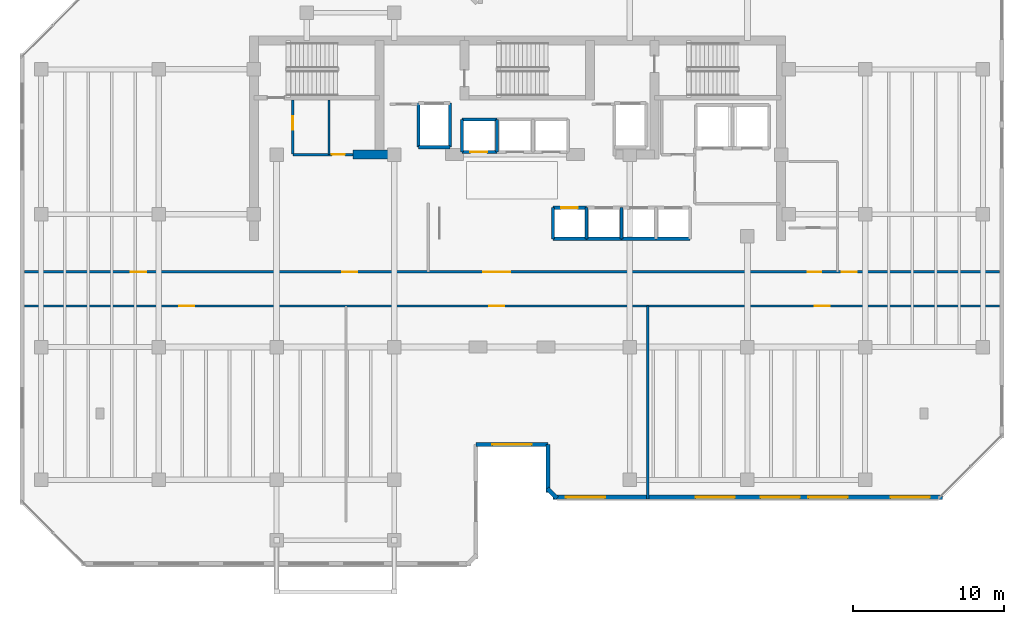
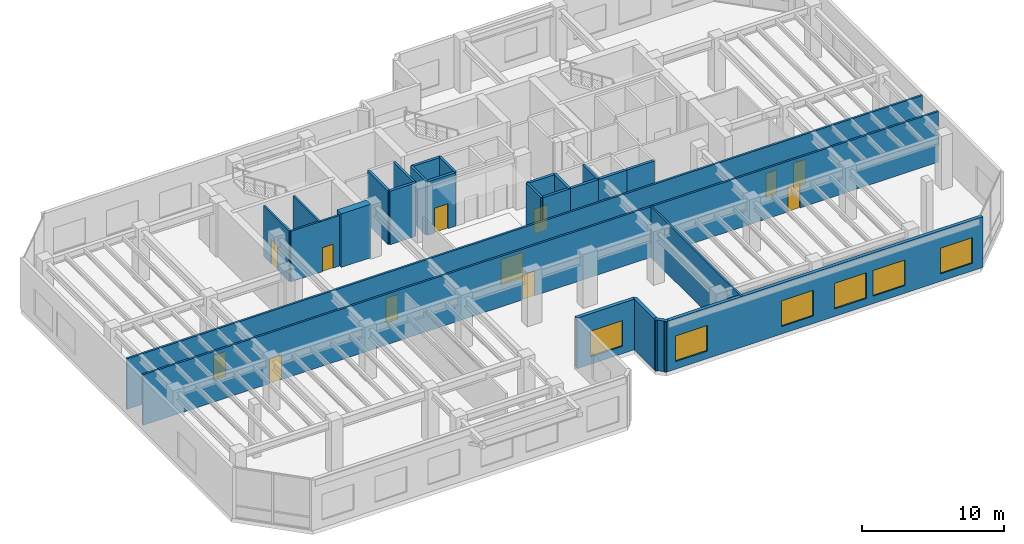
# One storey, part 14 of 20: 26 walls, 12 doors, 6 windows, 18 openings.
"""IFC4 building model written with IfcOpenShell, lengths in metres."""

from ifc_helpers import new_model, si_unit, direction, frame, frame_2d, origin, place, context, subcontext, project, spatial, rectangle, extrude, material, layer, layer_set, type_object, element, fill, save


model = new_model("IFC4")

# Units and contexts
model_context = context("Model", 3, precision=1e-05, world=origin(), true_north=direction((0.0, 1.0)))
body_context = subcontext(model_context, "Body", "Model", "MODEL_VIEW")
ifc_project = project(units=[si_unit("LENGTHUNIT", "METRE"), si_unit("AREAUNIT", "SQUARE_METRE"), si_unit("VOLUMEUNIT", "CUBIC_METRE"), si_unit("PLANEANGLEUNIT", "RADIAN"), si_unit("MASSUNIT", "GRAM", prefix="KILO")], contexts=[model_context])

# Site, building, storey
site_placement = place(None, origin())
site = spatial("IfcSite", under=ifc_project, at=site_placement, CompositionType="ELEMENT")
building_placement = place(site_placement, origin())
building = spatial("IfcBuilding", under=site, at=building_placement, Name="Kestravale Grand Hotel", CompositionType="ELEMENT")
storey_placement = place(building_placement, frame((0.0, 0.0, 231.89990234375)))
storey = spatial("IfcBuildingStorey", under=building, at=storey_placement, Name="L58", CompositionType="ELEMENT", Elevation=231.89990234375)

# Wall
ifc_material_1 = material(Name="Concrete f'c 50 MPa", Category="concrete")
ifc_layer_1 = layer(ifc_material_1, 0.60009765625)
ifc_layer_set_1 = layer_set([ifc_layer_1], Name="EW-CORE-600")
wall_type_1 = type_object("IfcWallType", Name="EW-CORE-600", PredefinedType="SHEAR", material=ifc_layer_set_1)
wall_1_placement = place(storey_placement, frame((28.449951171875, 32.75, 0.0), z_axis=(0.0, 0.0, 1.0), x_axis=(1.0, 0.0, 0.0)))
element("IfcWall", 1, at=wall_1_placement, inside=storey, type_object=wall_type_1, Name="L58 core shear wall S1", PredefinedType="SHEAR", context=body_context, shape_type="SweptSolid", body=[
    extrude(rectangle(XDim=2.400146484375, YDim=0.60009765625, at=frame_2d((1.2001953125, 0.0))), origin(), (0.0, 0.0, 1.0), 4.60009765625),
])

# Wall, opening, window
ifc_material_2 = material(Name="Precast concrete f'c 45 MPa", Category="concrete")
ifc_layer_2 = layer(ifc_material_2, 0.280029296875)
ifc_layer_set_2 = layer_set([ifc_layer_2], Name="EW-PREC-280")
wall_type_2 = type_object("IfcWallType", Name="EW-PREC-280", PredefinedType="SOLIDWALL", material=ifc_layer_set_2)
wall_2_placement = place(storey_placement, frame((36.610107421875, 13.5400390625, 0.0), z_axis=(0.0, 0.0, 1.0), x_axis=(1.0, 0.0, 0.0)))
wall_2 = element("IfcWall", 2, at=wall_2_placement, inside=storey, type_object=wall_type_2, Name="L58 fluted precast facade wall 4", PredefinedType="SOLIDWALL", context=body_context, shape_type="SweptSolid", body=[
    extrude(rectangle(XDim=4.77978515625, YDim=0.280029296875, at=frame_2d((2.389892578125, 0.0))), origin(), (0.0, 0.0, 1.0), 4.35009765625),
])
opening_1_placement = place(wall_2_placement, frame((1.090087890625, 0.0, 0.64990234375)))
opening_1 = element("IfcOpeningElement", 3, at=opening_1_placement, cuts=wall_2, Name="Opening W-SKY-2600", PredefinedType="OPENING", context=body_context, shape_type="SweptSolid", body=[
    extrude(rectangle(XDim=2.60009765625, YDim=2.199951171875, at=frame_2d((1.300048828125, 1.10009765625))), frame((0.0, 0.14990234375, 0.0), z_axis=(0.0, -1.0, 0.0), x_axis=(1.0, 0.0, 0.0)), (0.0, 0.0, 1.0), 0.300048828125),
])
ifc_material_3 = material(Name="Insulated low-E double glazing in aluminium frame", Category="aluminium")
window_type = type_object("IfcWindowType", Name="W-SKY-2600", PartitioningType="TRIPLE_PANEL_VERTICAL", PredefinedType="WINDOW", material=ifc_material_3)
window_1_placement = place(opening_1_placement, origin())
window_1 = element("IfcWindow", 4, at=window_1_placement, inside=storey, type_object=window_type, Name="L58 exterior window 4.1", OverallHeight=2.199951171875, OverallWidth=2.60009765625, PartitioningType="SINGLE_PANEL", PredefinedType="WINDOW", context=body_context, shape_type="SweptSolid", body=[
    extrude(rectangle(XDim=2.60009765625, YDim=2.199951171875, at=frame_2d((1.300048828125, 1.10009765625))), frame((0.0, 0.030029296875, 0.0), z_axis=(0.0, -1.0, 0.0), x_axis=(1.0, 0.0, 0.0)), (0.0, 0.0, 1.0), 0.06005859375),
])
fill(opening_1, window_1)

# Walls
wall_3_placement = place(storey_placement, frame((41.389892578125, 13.5400390625, 0.0), z_axis=(0.0, 0.0, 1.0), x_axis=(0.0, -1.0, 0.0)))
element("IfcWall", 5, at=wall_3_placement, inside=storey, type_object=wall_type_2, Name="L58 fluted precast facade wall 5", PredefinedType="SOLIDWALL", context=body_context, shape_type="SweptSolid", body=[
    extrude(rectangle(XDim=3.179931640625, YDim=0.280029296875, at=frame_2d((1.58984375, 0.0))), origin(), (0.0, 0.0, 1.0), 4.35009765625),
])
wall_4_placement = place(storey_placement, frame((41.32080078125, 10.627197265625, 0.0), z_axis=(0.0, 0.0, 1.0), x_axis=(0.707106781187, -0.707106781187, 0.0)))
element("IfcWall", 6, at=wall_4_placement, inside=storey, type_object=wall_type_2, Name="L58 fluted precast facade wall 6", PredefinedType="SOLIDWALL", context=body_context, shape_type="SweptSolid", body=[
    extrude(rectangle(XDim=0.928466796875, YDim=0.280029296875, at=frame_2d((0.46435546875, 0.0))), origin(), (0.0, 0.0, 1.0), 4.35009765625),
])

# Wall, openings, windows
wall_5_placement = place(storey_placement, frame((41.7099609375, 10.0400390625, 0.0), z_axis=(0.0, 0.0, 1.0), x_axis=(1.0, 0.0, 0.0)))
wall_5 = element("IfcWall", 7, at=wall_5_placement, inside=storey, type_object=wall_type_2, Name="L58 fluted precast facade wall 7", PredefinedType="SOLIDWALL", context=body_context, shape_type="SweptSolid", body=[
    extrude(rectangle(XDim=25.830078125, YDim=0.280029296875, at=frame_2d((12.9150390625, 0.0))), origin(), (0.0, 0.0, 1.0), 4.35009765625),
])
opening_2_placement = place(wall_5_placement, frame((0.8525390625, 0.0, 0.64990234375)))
opening_2 = element("IfcOpeningElement", 8, at=opening_2_placement, cuts=wall_5, Name="Opening W-SKY-2600", PredefinedType="OPENING", context=body_context, shape_type="SweptSolid", body=[
    extrude(rectangle(XDim=2.60009765625, YDim=2.199951171875, at=frame_2d((1.300048828125, 1.10009765625))), frame((0.0, 0.14990234375, 0.0), z_axis=(0.0, -1.0, 0.0), x_axis=(1.0, 0.0, 0.0)), (0.0, 0.0, 1.0), 0.300048828125),
])
opening_3_placement = place(wall_5_placement, frame((9.46240234375, 0.0, 0.64990234375)))
opening_3 = element("IfcOpeningElement", 9, at=opening_3_placement, cuts=wall_5, Name="Opening W-SKY-2600", PredefinedType="OPENING", context=body_context, shape_type="SweptSolid", body=[
    extrude(rectangle(XDim=2.60009765625, YDim=2.199951171875, at=frame_2d((1.300048828125, 1.10009765625))), frame((0.0, 0.14990234375, 0.0), z_axis=(0.0, -1.0, 0.0), x_axis=(1.0, 0.0, 0.0)), (0.0, 0.0, 1.0), 0.300048828125),
])
opening_4_placement = place(wall_5_placement, frame((13.767578125, 0.0, 0.64990234375)))
opening_4 = element("IfcOpeningElement", 10, at=opening_4_placement, cuts=wall_5, Name="Opening W-SKY-2600", PredefinedType="OPENING", context=body_context, shape_type="SweptSolid", body=[
    extrude(rectangle(XDim=2.60009765625, YDim=2.199951171875, at=frame_2d((1.300048828125, 1.10009765625))), frame((0.0, 0.14990234375, 0.0), z_axis=(0.0, -1.0, 0.0), x_axis=(1.0, 0.0, 0.0)), (0.0, 0.0, 1.0), 0.300048828125),
])
opening_5_placement = place(wall_5_placement, frame((16.922607421875, 0.0, 0.64990234375)))
opening_5 = element("IfcOpeningElement", 11, at=opening_5_placement, cuts=wall_5, Name="Opening W-SKY-2600", PredefinedType="OPENING", context=body_context, shape_type="SweptSolid", body=[
    extrude(rectangle(XDim=2.60009765625, YDim=2.199951171875, at=frame_2d((1.300048828125, 1.10009765625))), frame((0.0, 0.14990234375, 0.0), z_axis=(0.0, -1.0, 0.0), x_axis=(1.0, 0.0, 0.0)), (0.0, 0.0, 1.0), 0.300048828125),
])
opening_6_placement = place(wall_5_placement, frame((22.37744140625, 0.0, 0.64990234375)))
opening_6 = element("IfcOpeningElement", 12, at=opening_6_placement, cuts=wall_5, Name="Opening W-SKY-2600", PredefinedType="OPENING", context=body_context, shape_type="SweptSolid", body=[
    extrude(rectangle(XDim=2.60009765625, YDim=2.199951171875, at=frame_2d((1.300048828125, 1.10009765625))), frame((0.0, 0.14990234375, 0.0), z_axis=(0.0, -1.0, 0.0), x_axis=(1.0, 0.0, 0.0)), (0.0, 0.0, 1.0), 0.300048828125),
])
window_2_placement = place(opening_2_placement, origin())
window_2 = element("IfcWindow", 13, at=window_2_placement, inside=storey, type_object=window_type, Name="L58 exterior window 7.1", OverallHeight=2.199951171875, OverallWidth=2.60009765625, PartitioningType="SINGLE_PANEL", PredefinedType="WINDOW", context=body_context, shape_type="SweptSolid", body=[
    extrude(rectangle(XDim=2.60009765625, YDim=2.199951171875, at=frame_2d((1.300048828125, 1.10009765625))), frame((0.0, 0.030029296875, 0.0), z_axis=(0.0, -1.0, 0.0), x_axis=(1.0, 0.0, 0.0)), (0.0, 0.0, 1.0), 0.06005859375),
])
fill(opening_2, window_2)
window_3_placement = place(opening_3_placement, origin())
window_3 = element("IfcWindow", 14, at=window_3_placement, inside=storey, type_object=window_type, Name="L58 exterior window 7.2", OverallHeight=2.199951171875, OverallWidth=2.60009765625, PartitioningType="SINGLE_PANEL", PredefinedType="WINDOW", context=body_context, shape_type="SweptSolid", body=[
    extrude(rectangle(XDim=2.60009765625, YDim=2.199951171875, at=frame_2d((1.300048828125, 1.10009765625))), frame((0.0, 0.030029296875, 0.0), z_axis=(0.0, -1.0, 0.0), x_axis=(1.0, 0.0, 0.0)), (0.0, 0.0, 1.0), 0.06005859375),
])
fill(opening_3, window_3)
window_4_placement = place(opening_4_placement, origin())
window_4 = element("IfcWindow", 15, at=window_4_placement, inside=storey, type_object=window_type, Name="L58 exterior window 7.3", OverallHeight=2.199951171875, OverallWidth=2.60009765625, PartitioningType="SINGLE_PANEL", PredefinedType="WINDOW", context=body_context, shape_type="SweptSolid", body=[
    extrude(rectangle(XDim=2.60009765625, YDim=2.199951171875, at=frame_2d((1.300048828125, 1.10009765625))), frame((0.0, 0.030029296875, 0.0), z_axis=(0.0, -1.0, 0.0), x_axis=(1.0, 0.0, 0.0)), (0.0, 0.0, 1.0), 0.06005859375),
])
fill(opening_4, window_4)
window_5_placement = place(opening_5_placement, origin())
window_5 = element("IfcWindow", 16, at=window_5_placement, inside=storey, type_object=window_type, Name="L58 exterior window 7.4", OverallHeight=2.199951171875, OverallWidth=2.60009765625, PartitioningType="SINGLE_PANEL", PredefinedType="WINDOW", context=body_context, shape_type="SweptSolid", body=[
    extrude(rectangle(XDim=2.60009765625, YDim=2.199951171875, at=frame_2d((1.300048828125, 1.10009765625))), frame((0.0, 0.030029296875, 0.0), z_axis=(0.0, -1.0, 0.0), x_axis=(1.0, 0.0, 0.0)), (0.0, 0.0, 1.0), 0.06005859375),
])
fill(opening_5, window_5)
window_6_placement = place(opening_6_placement, origin())
window_6 = element("IfcWindow", 17, at=window_6_placement, inside=storey, type_object=window_type, Name="L58 exterior window 7.5", OverallHeight=2.199951171875, OverallWidth=2.60009765625, PartitioningType="SINGLE_PANEL", PredefinedType="WINDOW", context=body_context, shape_type="SweptSolid", body=[
    extrude(rectangle(XDim=2.60009765625, YDim=2.199951171875, at=frame_2d((1.300048828125, 1.10009765625))), frame((0.0, 0.030029296875, 0.0), z_axis=(0.0, -1.0, 0.0), x_axis=(1.0, 0.0, 0.0)), (0.0, 0.0, 1.0), 0.06005859375),
])
fill(opening_6, window_6)

# Wall, opening, door
ifc_material_4 = material(Name="Acoustic fire-rated gypsum board partition", Category="other")
ifc_layer_3 = layer(ifc_material_4, 0.159912109375)
ifc_layer_set_3 = layer_set([ifc_layer_3], Name="IW-CORR-160")
wall_type_3 = type_object("IfcWallType", Name="IW-CORR-160", PredefinedType="PARTITIONING", material=ifc_layer_set_3)
wall_6_placement = place(storey_placement, frame((24.47998046875, 32.800048828125, 0.0), z_axis=(0.0, 0.0, 1.0), x_axis=(0.0, 1.0, 0.0)))
wall_6 = element("IfcWall", 18, at=wall_6_placement, inside=storey, type_object=wall_type_3, Name="L58 west core vestibule wall", PredefinedType="PARTITIONING", context=body_context, shape_type="SweptSolid", body=[
    extrude(rectangle(XDim=3.570068359375, YDim=0.159912109375, at=frame_2d((1.78515625, 0.0))), origin(), (0.0, 0.0, 1.0), 4.35009765625),
])
opening_7_placement = place(wall_6_placement, frame((1.603515625, 0.0, 0.0)))
opening_7 = element("IfcOpeningElement", 19, at=opening_7_placement, cuts=wall_6, Name="Opening D-SH-900", PredefinedType="OPENING", context=body_context, shape_type="SweptSolid", body=[
    extrude(rectangle(XDim=0.89990234375, YDim=2.10009765625, at=frame_2d((0.449951171875, 1.050048828125))), frame((0.0, 0.08984375, 0.0), z_axis=(0.0, -1.0, 0.0), x_axis=(1.0, 0.0, 0.0)), (0.0, 0.0, 1.0), 0.179931640625),
])
ifc_material_5 = material(Name="Galvanised 90-minute shaft and service fire door", Category="steel")
door_type_1 = type_object("IfcDoorType", Name="D-SH-900", OperationType="NOTDEFINED", PredefinedType="DOOR", material=ifc_material_5)
door_1_placement = place(opening_7_placement, origin())
door_1 = element("IfcDoor", 20, at=door_1_placement, inside=storey, type_object=door_type_1, Name="D-L58-HK", OperationType="SINGLE_SWING_RIGHT", OverallHeight=2.10009765625, OverallWidth=0.89990234375, PredefinedType="DOOR", context=body_context, shape_type="SweptSolid", body=[
    extrude(rectangle(XDim=0.89990234375, YDim=2.10009765625, at=frame_2d((0.449951171875, 1.050048828125))), frame((0.0, 0.02490234375, 0.0), z_axis=(0.0, -1.0, 0.0), x_axis=(1.0, 0.0, 0.0)), (0.0, 0.0, 1.0), 0.050048828125),
])
fill(opening_7, door_1)

wall_7_placement = place(storey_placement, frame((24.47998046875, 32.75, 0.0), z_axis=(0.0, 0.0, 1.0), x_axis=(1.0, 0.0, 0.0)))
wall_7 = element("IfcWall", 21, at=wall_7_placement, inside=storey, type_object=wall_type_3, Name="W-L58-CWS", PredefinedType="PARTITIONING", context=body_context, shape_type="SweptSolid", body=[
    extrude(rectangle(XDim=3.969970703125, YDim=0.159912109375, at=frame_2d((1.98486328125, 0.0))), origin(), (0.0, 0.0, 1.0), 4.35009765625),
])
opening_8_placement = place(wall_7_placement, frame((2.5849609375, 0.0, 0.0)))
opening_8 = element("IfcOpeningElement", 22, at=opening_8_placement, cuts=wall_7, Name="Opening D-SH-860", PredefinedType="OPENING", context=body_context, shape_type="SweptSolid", body=[
    extrude(rectangle(XDim=0.860107421875, YDim=2.050048828125, at=frame_2d((0.43017578125, 1.02490234375))), frame((0.0, 0.08984375, 0.0), z_axis=(0.0, -1.0, 0.0), x_axis=(1.0, 0.0, 0.0)), (0.0, 0.0, 1.0), 0.179931640625),
])
ifc_material_6 = material(Name="Galvanised 90-minute riser fire door", Category="steel")
door_type_2 = type_object("IfcDoorType", Name="D-SH-860", OperationType="NOTDEFINED", PredefinedType="DOOR", material=ifc_material_6)
door_2_placement = place(opening_8_placement, origin())
door_2 = element("IfcDoor", 23, at=door_2_placement, inside=storey, type_object=door_type_2, Name="D-L58-ELEC", OperationType="SINGLE_SWING_RIGHT", OverallHeight=2.050048828125, OverallWidth=0.860107421875, PredefinedType="DOOR", context=body_context, shape_type="SweptSolid", body=[
    extrude(rectangle(XDim=0.860107421875, YDim=2.050048828125, at=frame_2d((0.43017578125, 1.02490234375))), frame((0.0, 0.02490234375, 0.0), z_axis=(0.0, -1.0, 0.0), x_axis=(1.0, 0.0, 0.0)), (0.0, 0.0, 1.0), 0.050048828125),
])
fill(opening_8, door_2)

# Wall, openings, doors
wall_8_placement = place(storey_placement, frame((6.699951171875, 22.719970703125, 0.0), z_axis=(0.0, 0.0, 1.0), x_axis=(1.0, 0.0, 0.0)))
wall_8 = element("IfcWall", 24, at=wall_8_placement, inside=storey, type_object=wall_type_3, Name="W-L58-SC-S", PredefinedType="PARTITIONING", context=body_context, shape_type="SweptSolid", body=[
    extrude(rectangle(XDim=64.60009765625, YDim=0.159912109375, at=frame_2d((32.300048828125, 0.0))), origin(), (0.0, 0.0, 1.0), 4.35009765625),
])
opening_9_placement = place(wall_8_placement, frame((10.25, 0.0, 0.0)))
opening_9 = element("IfcOpeningElement", 25, at=opening_9_placement, cuts=wall_8, Name="Opening D-GUEST-1000", PredefinedType="OPENING", context=body_context, shape_type="SweptSolid", body=[
    extrude(rectangle(XDim=1.0, YDim=2.14990234375, at=frame_2d((0.5, 1.074951171875))), frame((0.0, 0.08984375, 0.0), z_axis=(0.0, -1.0, 0.0), x_axis=(1.0, 0.0, 0.0)), (0.0, 0.0, 1.0), 0.179931640625),
])
opening_10_placement = place(wall_8_placement, frame((30.800048828125, 0.0, 0.0)))
opening_10 = element("IfcOpeningElement", 26, at=opening_10_placement, cuts=wall_8, Name="Opening D-GUEST-1000", PredefinedType="OPENING", context=body_context, shape_type="SweptSolid", body=[
    extrude(rectangle(XDim=1.0, YDim=2.14990234375, at=frame_2d((0.5, 1.074951171875))), frame((0.0, 0.08984375, 0.0), z_axis=(0.0, -1.0, 0.0), x_axis=(1.0, 0.0, 0.0)), (0.0, 0.0, 1.0), 0.179931640625),
])
opening_11_placement = place(wall_8_placement, frame((52.35009765625, 0.0, 0.0)))
opening_11 = element("IfcOpeningElement", 27, at=opening_11_placement, cuts=wall_8, Name="Opening D-GUEST-1000", PredefinedType="OPENING", context=body_context, shape_type="SweptSolid", body=[
    extrude(rectangle(XDim=1.0, YDim=2.14990234375, at=frame_2d((0.5, 1.074951171875))), frame((0.0, 0.08984375, 0.0), z_axis=(0.0, -1.0, 0.0), x_axis=(1.0, 0.0, 0.0)), (0.0, 0.0, 1.0), 0.179931640625),
])
ifc_material_7 = material(Name="Accessible walnut veneer hotel entrance fire door", Category="wood")
door_type_3 = type_object("IfcDoorType", Name="D-GUEST-1000", OperationType="NOTDEFINED", PredefinedType="DOOR", material=ifc_material_7)
door_3_placement = place(opening_9_placement, origin())
door_3 = element("IfcDoor", 28, at=door_3_placement, inside=storey, type_object=door_type_3, Name="D-L58-SKYLOB", OperationType="SINGLE_SWING_LEFT", OverallHeight=2.14990234375, OverallWidth=1.0, PredefinedType="DOOR", context=body_context, shape_type="SweptSolid", body=[
    extrude(rectangle(XDim=1.0, YDim=2.14990234375, at=frame_2d((0.5, 1.074951171875))), frame((0.0, 0.02490234375, 0.0), z_axis=(0.0, -1.0, 0.0), x_axis=(1.0, 0.0, 0.0)), (0.0, 0.0, 1.0), 0.050048828125),
])
fill(opening_9, door_3)
door_4_placement = place(opening_10_placement, origin())
door_4 = element("IfcDoor", 29, at=door_4_placement, inside=storey, type_object=door_type_3, Name="D-L58-CLUB", OperationType="SINGLE_SWING_RIGHT", OverallHeight=2.14990234375, OverallWidth=1.0, PredefinedType="DOOR", context=body_context, shape_type="SweptSolid", body=[
    extrude(rectangle(XDim=1.0, YDim=2.14990234375, at=frame_2d((0.5, 1.074951171875))), frame((0.0, 0.02490234375, 0.0), z_axis=(0.0, -1.0, 0.0), x_axis=(1.0, 0.0, 0.0)), (0.0, 0.0, 1.0), 0.050048828125),
])
fill(opening_10, door_4)
door_5_placement = place(opening_11_placement, origin())
door_5 = element("IfcDoor", 30, at=door_5_placement, inside=storey, type_object=door_type_3, Name="D-L58-MEET", OperationType="SINGLE_SWING_LEFT", OverallHeight=2.14990234375, OverallWidth=1.0, PredefinedType="DOOR", context=body_context, shape_type="SweptSolid", body=[
    extrude(rectangle(XDim=1.0, YDim=2.14990234375, at=frame_2d((0.5, 1.074951171875))), frame((0.0, 0.02490234375, 0.0), z_axis=(0.0, -1.0, 0.0), x_axis=(1.0, 0.0, 0.0)), (0.0, 0.0, 1.0), 0.050048828125),
])
fill(opening_11, door_5)

wall_9_placement = place(storey_placement, frame((6.699951171875, 24.97998046875, 0.0), z_axis=(0.0, 0.0, 1.0), x_axis=(1.0, 0.0, 0.0)))
wall_9 = element("IfcWall", 31, at=wall_9_placement, inside=storey, type_object=wall_type_3, Name="W-L58-SC-N", PredefinedType="PARTITIONING", context=body_context, shape_type="SweptSolid", body=[
    extrude(rectangle(XDim=64.60009765625, YDim=0.159912109375, at=frame_2d((32.300048828125, 0.0))), origin(), (0.0, 0.0, 1.0), 4.35009765625),
])
opening_12_placement = place(wall_9_placement, frame((30.39990234375, 0.0, 0.0)))
opening_12 = element("IfcOpeningElement", 32, at=opening_12_placement, cuts=wall_9, Name="Opening D-CORR-1800", PredefinedType="OPENING", context=body_context, shape_type="SweptSolid", body=[
    extrude(rectangle(XDim=1.800048828125, YDim=2.199951171875, at=frame_2d((0.89990234375, 1.10009765625))), frame((0.0, 0.08984375, 0.0), z_axis=(0.0, -1.0, 0.0), x_axis=(1.0, 0.0, 0.0)), (0.0, 0.0, 1.0), 0.179931640625),
])
opening_13_placement = place(wall_9_placement, frame((21.050048828125, 0.0, 0.0)))
opening_13 = element("IfcOpeningElement", 33, at=opening_13_placement, cuts=wall_9, Name="Opening D-GUEST-1000", PredefinedType="OPENING", context=body_context, shape_type="SweptSolid", body=[
    extrude(rectangle(XDim=1.0, YDim=2.14990234375, at=frame_2d((0.5, 1.074951171875))), frame((0.0, 0.08984375, 0.0), z_axis=(0.0, -1.0, 0.0), x_axis=(1.0, 0.0, 0.0)), (0.0, 0.0, 1.0), 0.179931640625),
])
opening_14_placement = place(wall_9_placement, frame((7.050048828125, 0.0, 0.0)))
opening_14 = element("IfcOpeningElement", 34, at=opening_14_placement, cuts=wall_9, Name="Opening D-GUEST-1000", PredefinedType="OPENING", context=body_context, shape_type="SweptSolid", body=[
    extrude(rectangle(XDim=1.0, YDim=2.14990234375, at=frame_2d((0.5, 1.074951171875))), frame((0.0, 0.08984375, 0.0), z_axis=(0.0, -1.0, 0.0), x_axis=(1.0, 0.0, 0.0)), (0.0, 0.0, 1.0), 0.179931640625),
])
opening_15_placement = place(wall_9_placement, frame((51.909912109375, 0.0, 0.0)))
opening_15 = element("IfcOpeningElement", 35, at=opening_15_placement, cuts=wall_9, Name="Opening D-BATH-880", PredefinedType="OPENING", context=body_context, shape_type="SweptSolid", body=[
    extrude(rectangle(XDim=0.8798828125, YDim=2.050048828125, at=frame_2d((0.43994140625, 1.02490234375))), frame((0.0, 0.08984375, 0.0), z_axis=(0.0, -1.0, 0.0), x_axis=(1.0, 0.0, 0.0)), (0.0, 0.0, 1.0), 0.179931640625),
])
opening_16_placement = place(wall_9_placement, frame((54.14990234375, 0.0, 0.0)))
opening_16 = element("IfcOpeningElement", 36, at=opening_16_placement, cuts=wall_9, Name="Opening D-GUEST-1000", PredefinedType="OPENING", context=body_context, shape_type="SweptSolid", body=[
    extrude(rectangle(XDim=1.0, YDim=2.14990234375, at=frame_2d((0.5, 1.074951171875))), frame((0.0, 0.08984375, 0.0), z_axis=(0.0, -1.0, 0.0), x_axis=(1.0, 0.0, 0.0)), (0.0, 0.0, 1.0), 0.179931640625),
])
ifc_material_8 = material(Name="Moisture-sealed walnut en-suite bathroom door", Category="wood")
door_type_4 = type_object("IfcDoorType", Name="D-BATH-880", OperationType="NOTDEFINED", PredefinedType="DOOR", material=ifc_material_8)
door_6_placement = place(opening_15_placement, origin())
door_6 = element("IfcDoor", 37, at=door_6_placement, inside=storey, type_object=door_type_4, Name="D-L58-WCA", OperationType="SINGLE_SWING_LEFT", OverallHeight=2.050048828125, OverallWidth=0.8798828125, PredefinedType="DOOR", context=body_context, shape_type="SweptSolid", body=[
    extrude(rectangle(XDim=0.8798828125, YDim=2.050048828125, at=frame_2d((0.43994140625, 1.02490234375))), frame((0.0, 0.02490234375, 0.0), z_axis=(0.0, -1.0, 0.0), x_axis=(1.0, 0.0, 0.0)), (0.0, 0.0, 1.0), 0.050048828125),
])
fill(opening_15, door_6)
ifc_material_9 = material(Name="Double-leaf glazed bronze acoustic corridor fire door", Category="aluminium")
door_type_5 = type_object("IfcDoorType", Name="D-CORR-1800", OperationType="NOTDEFINED", PredefinedType="DOOR", material=ifc_material_9)
door_7_placement = place(opening_12_placement, origin())
door_7 = element("IfcDoor", 38, at=door_7_placement, inside=storey, type_object=door_type_5, Name="D-L58-LCONN", OperationType="DOUBLE_DOOR_SINGLE_SWING", OverallHeight=2.199951171875, OverallWidth=1.800048828125, PredefinedType="DOOR", context=body_context, shape_type="SweptSolid", body=[
    extrude(rectangle(XDim=1.800048828125, YDim=2.199951171875, at=frame_2d((0.89990234375, 1.10009765625))), frame((0.0, 0.02490234375, 0.0), z_axis=(0.0, -1.0, 0.0), x_axis=(1.0, 0.0, 0.0)), (0.0, 0.0, 1.0), 0.050048828125),
])
fill(opening_12, door_7)
door_8_placement = place(opening_13_placement, origin())
door_8 = element("IfcDoor", 39, at=door_8_placement, inside=storey, type_object=door_type_3, Name="D-L58-RECL-W", OperationType="SINGLE_SWING_RIGHT", OverallHeight=2.14990234375, OverallWidth=1.0, PredefinedType="DOOR", context=body_context, shape_type="SweptSolid", body=[
    extrude(rectangle(XDim=1.0, YDim=2.14990234375, at=frame_2d((0.5, 1.074951171875))), frame((0.0, 0.02490234375, 0.0), z_axis=(0.0, -1.0, 0.0), x_axis=(1.0, 0.0, 0.0)), (0.0, 0.0, 1.0), 0.050048828125),
])
fill(opening_13, door_8)
door_9_placement = place(opening_14_placement, origin())
door_9 = element("IfcDoor", 40, at=door_9_placement, inside=storey, type_object=door_type_3, Name="D-L58-NW", OperationType="SINGLE_SWING_RIGHT", OverallHeight=2.14990234375, OverallWidth=1.0, PredefinedType="DOOR", context=body_context, shape_type="SweptSolid", body=[
    extrude(rectangle(XDim=1.0, YDim=2.14990234375, at=frame_2d((0.5, 1.074951171875))), frame((0.0, 0.02490234375, 0.0), z_axis=(0.0, -1.0, 0.0), x_axis=(1.0, 0.0, 0.0)), (0.0, 0.0, 1.0), 0.050048828125),
])
fill(opening_14, door_9)
door_10_placement = place(opening_16_placement, origin())
door_10 = element("IfcDoor", 41, at=door_10_placement, inside=storey, type_object=door_type_3, Name="L58 NE Gallery Door", OperationType="SINGLE_SWING_LEFT", OverallHeight=2.14990234375, OverallWidth=1.0, PredefinedType="DOOR", context=body_context, shape_type="SweptSolid", body=[
    extrude(rectangle(XDim=1.0, YDim=2.14990234375, at=frame_2d((0.5, 1.074951171875))), frame((0.0, 0.02490234375, 0.0), z_axis=(0.0, -1.0, 0.0), x_axis=(1.0, 0.0, 0.0)), (0.0, 0.0, 1.0), 0.050048828125),
])
fill(opening_16, door_10)

# Walls
ifc_material_10 = material(Name="Concrete f'c 45 MPa", Category="concrete")
ifc_layer_4 = layer(ifc_material_10, 0.199951171875)
ifc_layer_set_4 = layer_set([ifc_layer_4], Name="IW-SHAFT-200")
wall_type_4 = type_object("IfcWallType", Name="IW-SHAFT-200", PredefinedType="SHEAR", material=ifc_layer_set_4)
for number, where, z_axis, x_axis, name in (
    (42, (41.705078125, 27.169921875, 0.0), (0.0, 0.0, 1.0), (0.0, 1.0, 0.0), "L58 PL-M1 west shaft wall"),
    (43, (43.949951171875, 27.169921875, 0.0), (0.0, 0.0, 1.0), (0.0, 1.0, 0.0), "L58 PL-M2 west shaft wall"),
    (44, (46.25, 27.169921875, 0.0), (0.0, 0.0, 1.0), (0.0, 1.0, 0.0), "L58 PL-M3 west shaft wall"),
):
    element("IfcWall", number, at=place(storey_placement, frame(where, z_axis=z_axis, x_axis=x_axis)), inside=storey, type_object=wall_type_4, Name=name, PredefinedType="SHEAR", context=body_context, shape_type="SweptSolid", body=[
        extrude(rectangle(XDim=2.06005859375, YDim=0.199951171875, at=frame_2d((1.030029296875, 0.0))), origin(), (0.0, 0.0, 1.0), 4.60009765625),
    ])
for number, where, z_axis, x_axis, name in (
    (45, (35.679931640625, 32.919921875, 0.0), (0.0, 0.0, 1.0), (0.0, 1.0, 0.0), "L58 PL-X1 west shaft wall"),
    (46, (38.0, 32.919921875, 0.0), (0.0, 0.0, 1.0), (0.0, 1.0, 0.0), "L58 PL-X2 west shaft wall"),
):
    element("IfcWall", number, at=place(storey_placement, frame(where, z_axis=z_axis, x_axis=x_axis)), inside=storey, type_object=wall_type_4, Name=name, PredefinedType="SHEAR", context=body_context, shape_type="SweptSolid", body=[
        extrude(rectangle(XDim=2.16015625, YDim=0.199951171875, at=frame_2d((1.080078125, 0.0))), origin(), (0.0, 0.0, 1.0), 4.60009765625),
    ])
for number, where, z_axis, x_axis, name in (
    (47, (32.804931640625, 33.2451171875, 0.0), (0.0, 0.0, 1.0), (0.0, 1.0, 0.0), "L58 FL-1 west shaft wall"),
    (48, (34.89501953125, 33.2451171875, 0.0), (0.0, 0.0, 1.0), (0.0, 1.0, 0.0), "L58 FL-1 east shaft wall"),
):
    element("IfcWall", number, at=place(storey_placement, frame(where, z_axis=z_axis, x_axis=x_axis)), inside=storey, type_object=wall_type_4, Name=name, PredefinedType="SHEAR", context=body_context, shape_type="SweptSolid", body=[
        extrude(rectangle(XDim=2.909912109375, YDim=0.199951171875, at=frame_2d((1.455078125, 0.0))), origin(), (0.0, 0.0, 1.0), 4.60009765625),
    ])

# Wall, opening, door
ifc_material_11 = material(Name="Concrete f'c 45 MPa", Category="concrete")
ifc_layer_5 = layer(ifc_material_11, 0.219970703125)
ifc_layer_set_5 = layer_set([ifc_layer_5], Name="IW-SHAFT-220")
wall_type_5 = type_object("IfcWallType", Name="IW-SHAFT-220", PredefinedType="SHEAR", material=ifc_layer_set_5)
wall_10_placement = place(storey_placement, frame((41.705078125, 29.22998046875, 0.0), z_axis=(0.0, 0.0, 1.0), x_axis=(1.0, 0.0, 0.0)))
wall_10 = element("IfcWall", 49, at=wall_10_placement, inside=storey, type_object=wall_type_5, Name="L58 PL-M1 north shaft wall", PredefinedType="SHEAR", context=body_context, shape_type="SweptSolid", body=[
    extrude(rectangle(XDim=2.244873046875, YDim=0.219970703125, at=frame_2d((1.12255859375, 0.0))), origin(), (0.0, 0.0, 1.0), 4.60009765625),
])
opening_17_placement = place(wall_10_placement, frame((0.544921875, 0.0, 0.0)))
opening_17 = element("IfcOpeningElement", 50, at=opening_17_placement, cuts=wall_10, Name="Opening LD-PAX-1100", PredefinedType="OPENING", context=body_context, shape_type="SweptSolid", body=[
    extrude(rectangle(XDim=1.10009765625, YDim=2.14990234375, at=frame_2d((0.550048828125, 1.074951171875))), frame((0.0, 0.119873046875, 0.0), z_axis=(0.0, -1.0, 0.0), x_axis=(1.0, 0.0, 0.0)), (0.0, 0.0, 1.0), 0.239990234375),
])
ifc_material_12 = material(Name="Champagne-bronze center-opening sliding elevator landing door", Category="steel")
door_type_6 = type_object("IfcDoorType", Name="LD-PAX-1100", OperationType="NOTDEFINED", PredefinedType="DOOR", material=ifc_material_12)
door_11_placement = place(opening_17_placement, origin())
door_11 = element("IfcDoor", 51, at=door_11_placement, inside=storey, type_object=door_type_6, Name="L58 PL-M1 elevator landing sliding door", OperationType="DOUBLE_DOOR_SLIDING", OverallHeight=2.14990234375, OverallWidth=1.10009765625, PredefinedType="DOOR", context=body_context, shape_type="SweptSolid", body=[
    extrude(rectangle(XDim=1.10009765625, YDim=2.14990234375, at=frame_2d((0.550048828125, 1.074951171875))), frame((0.0, 0.02490234375, 0.0), z_axis=(0.0, -1.0, 0.0), x_axis=(1.0, 0.0, 0.0)), (0.0, 0.0, 1.0), 0.050048828125),
])
fill(opening_17, door_11)

# Walls
wall_11_placement = place(storey_placement, frame((41.705078125, 27.169921875, 0.0), z_axis=(0.0, 0.0, 1.0), x_axis=(1.0, 0.0, 0.0)))
element("IfcWall", 52, at=wall_11_placement, inside=storey, type_object=wall_type_5, Name="L58 PL-M1 south shaft wall", PredefinedType="SHEAR", context=body_context, shape_type="SweptSolid", body=[
    extrude(rectangle(XDim=2.244873046875, YDim=0.219970703125, at=frame_2d((1.12255859375, 0.0))), origin(), (0.0, 0.0, 1.0), 4.60009765625),
])
for number, where, z_axis, x_axis, name in (
    (53, (43.949951171875, 27.169921875, 0.0), (0.0, 0.0, 1.0), (1.0, 0.0, 0.0), "L58 PL-M2 south shaft wall"),
    (54, (46.25, 27.169921875, 0.0), (0.0, 0.0, 1.0), (1.0, 0.0, 0.0), "L58 PL-M3 south shaft wall"),
):
    element("IfcWall", number, at=place(storey_placement, frame(where, z_axis=z_axis, x_axis=x_axis)), inside=storey, type_object=wall_type_5, Name=name, PredefinedType="SHEAR", context=body_context, shape_type="SweptSolid", body=[
        extrude(rectangle(XDim=2.300048828125, YDim=0.219970703125, at=frame_2d((1.14990234375, 0.0))), origin(), (0.0, 0.0, 1.0), 4.60009765625),
    ])
wall_12_placement = place(storey_placement, frame((48.550048828125, 27.169921875, 0.0), z_axis=(0.0, 0.0, 1.0), x_axis=(1.0, 0.0, 0.0)))
element("IfcWall", 55, at=wall_12_placement, inside=storey, type_object=wall_type_5, Name="L58 PL-M4 south shaft wall", PredefinedType="SHEAR", context=body_context, shape_type="SweptSolid", body=[
    extrude(rectangle(XDim=2.244873046875, YDim=0.219970703125, at=frame_2d((1.12255859375, 0.0))), origin(), (0.0, 0.0, 1.0), 4.60009765625),
])
wall_13_placement = place(storey_placement, frame((35.679931640625, 35.080078125, 0.0), z_axis=(0.0, 0.0, 1.0), x_axis=(1.0, 0.0, 0.0)))
element("IfcWall", 56, at=wall_13_placement, inside=storey, type_object=wall_type_5, Name="L58 PL-X1 north shaft wall", PredefinedType="SHEAR", context=body_context, shape_type="SweptSolid", body=[
    extrude(rectangle(XDim=2.320068359375, YDim=0.219970703125, at=frame_2d((1.16015625, 0.0))), origin(), (0.0, 0.0, 1.0), 4.60009765625),
])

# Wall, opening, door
wall_14_placement = place(storey_placement, frame((35.679931640625, 32.919921875, 0.0), z_axis=(0.0, 0.0, 1.0), x_axis=(1.0, 0.0, 0.0)))
wall_14 = element("IfcWall", 57, at=wall_14_placement, inside=storey, type_object=wall_type_5, Name="L58 PL-X1 south shaft wall", PredefinedType="SHEAR", context=body_context, shape_type="SweptSolid", body=[
    extrude(rectangle(XDim=2.320068359375, YDim=0.219970703125, at=frame_2d((1.16015625, 0.0))), origin(), (0.0, 0.0, 1.0), 4.60009765625),
])
opening_18_placement = place(wall_14_placement, frame((0.570068359375, 0.0, 0.0)))
opening_18 = element("IfcOpeningElement", 58, at=opening_18_placement, cuts=wall_14, Name="Opening LD-PAX-1100", PredefinedType="OPENING", context=body_context, shape_type="SweptSolid", body=[
    extrude(rectangle(XDim=1.10009765625, YDim=2.14990234375, at=frame_2d((0.550048828125, 1.074951171875))), frame((0.0, 0.119873046875, 0.0), z_axis=(0.0, -1.0, 0.0), x_axis=(1.0, 0.0, 0.0)), (0.0, 0.0, 1.0), 0.239990234375),
])
door_12_placement = place(opening_18_placement, origin())
door_12 = element("IfcDoor", 59, at=door_12_placement, inside=storey, type_object=door_type_6, Name="L58 PL-X1 elevator landing sliding door", OperationType="DOUBLE_DOOR_SLIDING", OverallHeight=2.14990234375, OverallWidth=1.10009765625, PredefinedType="DOOR", context=body_context, shape_type="SweptSolid", body=[
    extrude(rectangle(XDim=1.10009765625, YDim=2.14990234375, at=frame_2d((0.550048828125, 1.074951171875))), frame((0.0, 0.02490234375, 0.0), z_axis=(0.0, -1.0, 0.0), x_axis=(1.0, 0.0, 0.0)), (0.0, 0.0, 1.0), 0.050048828125),
])
fill(opening_18, door_12)

# Walls
wall_15_placement = place(storey_placement, frame((32.804931640625, 33.2451171875, 0.0), z_axis=(0.0, 0.0, 1.0), x_axis=(1.0, 0.0, 0.0)))
element("IfcWall", 60, at=wall_15_placement, inside=storey, type_object=wall_type_5, Name="L58 FL-1 south shaft wall", PredefinedType="SHEAR", context=body_context, shape_type="SweptSolid", body=[
    extrude(rectangle(XDim=2.090087890625, YDim=0.219970703125, at=frame_2d((1.044921875, 0.0))), origin(), (0.0, 0.0, 1.0), 4.60009765625),
])
ifc_material_13 = material(Name="Double-stud STC 52 acoustic demising partition", Category="other")
ifc_layer_6 = layer(ifc_material_13, 0.14990234375)
ifc_layer_set_6 = layer_set([ifc_layer_6], Name="IW-UNIT-150")
wall_type_6 = type_object("IfcWallType", Name="IW-UNIT-150", PredefinedType="PARTITIONING", material=ifc_layer_set_6)
wall_16_placement = place(storey_placement, frame((26.8798828125, 32.75, 0.0), z_axis=(0.0, 0.0, 1.0), x_axis=(0.0, 1.0, 0.0)))
element("IfcWall", 61, at=wall_16_placement, inside=storey, type_object=wall_type_6, Name="W-L58-CC0-1", PredefinedType="PARTITIONING", context=body_context, shape_type="SweptSolid", body=[
    extrude(rectangle(XDim=3.6201171875, YDim=0.14990234375, at=frame_2d((1.81005859375, 0.0))), origin(), (0.0, 0.0, 1.0), 4.35009765625),
])
wall_17_placement = place(storey_placement, frame((48.0, 9.919921875, 0.0), z_axis=(0.0, 0.0, 1.0), x_axis=(0.0, 1.0, 0.0)))
element("IfcWall", 62, at=wall_17_placement, inside=storey, type_object=wall_type_6, Name="W-L58-SD-2", PredefinedType="PARTITIONING", context=body_context, shape_type="SweptSolid", body=[
    extrude(rectangle(XDim=12.800048828125, YDim=0.14990234375, at=frame_2d((6.39990234375, 0.0))), origin(), (0.0, 0.0, 1.0), 4.35009765625),
])

save(model, "model.ifc")
